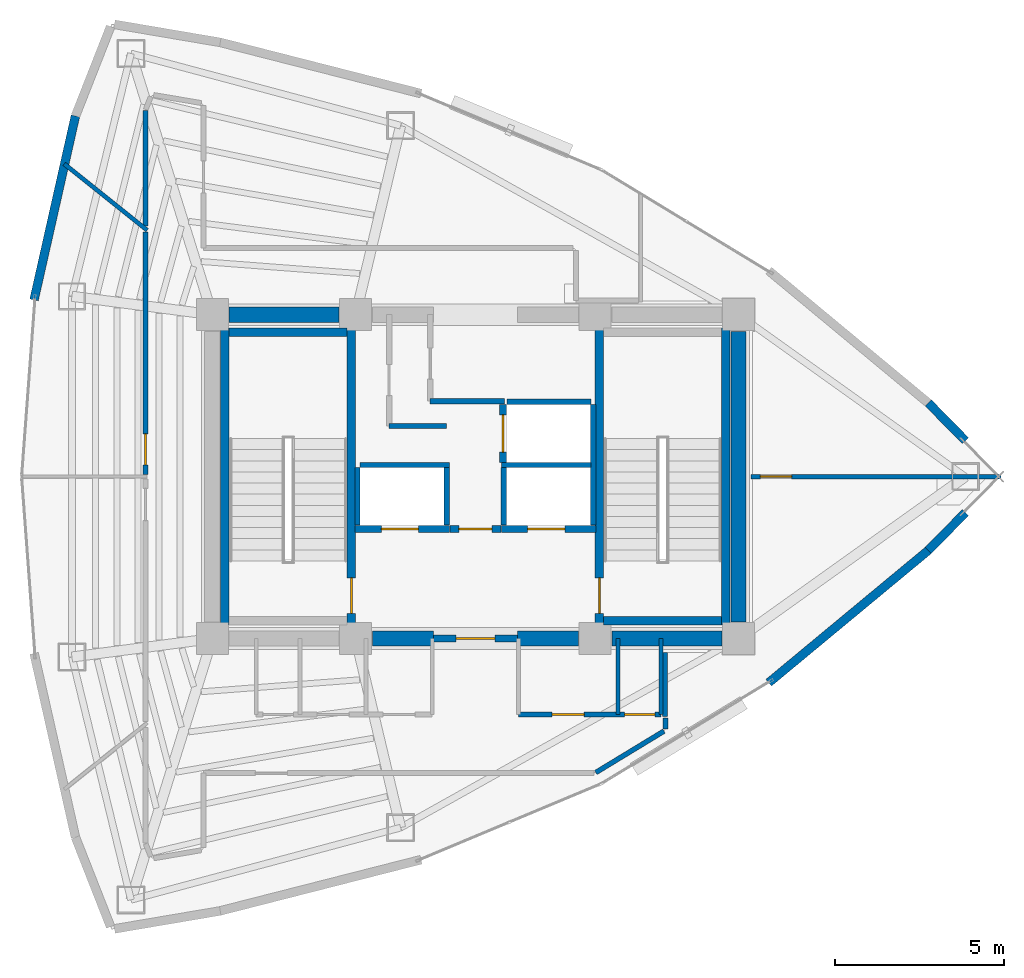
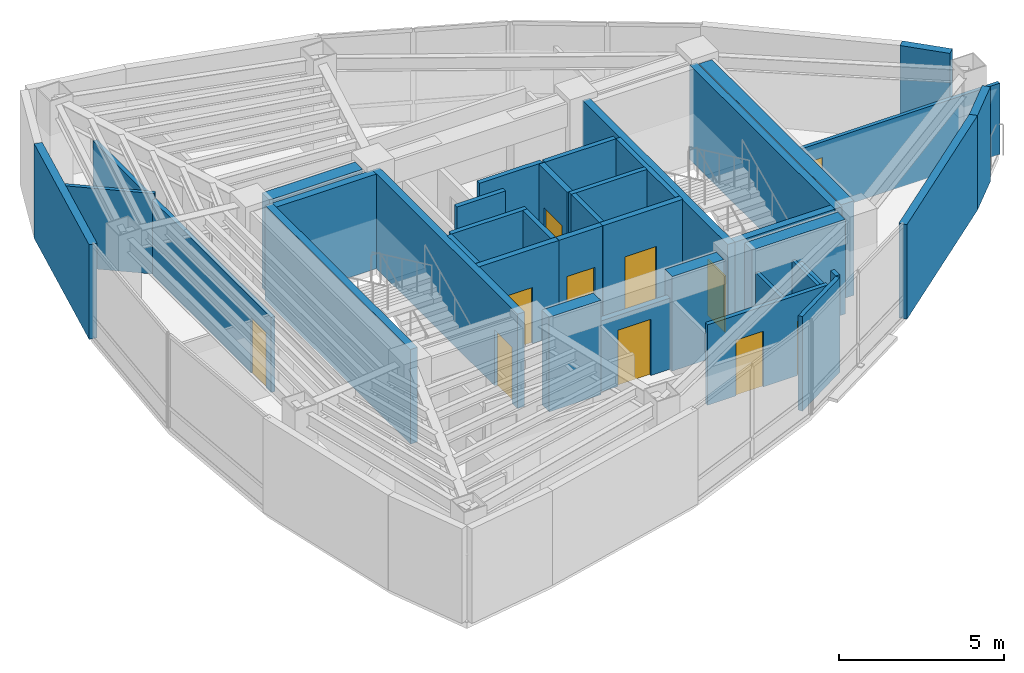
# One storey, part 12 of 15: 39 walls, 11 doors, 11 openings.
"""IFC4 building model written with IfcOpenShell, lengths in metres."""

from ifc_helpers import new_model, si_unit, direction, frame, frame_2d, origin, place, context, subcontext, project, spatial, rectangle, extrude, material, layer, layer_set, type_object, element, fill, save


model = new_model("IFC4")

# Units and contexts
model_context = context("Model", 3, precision=1e-05, world=origin(), true_north=direction((0.0, 1.0)))
body_context = subcontext(model_context, "Body", "Model", "MODEL_VIEW")
ifc_project = project(units=[si_unit("LENGTHUNIT", "METRE"), si_unit("AREAUNIT", "SQUARE_METRE"), si_unit("VOLUMEUNIT", "CUBIC_METRE"), si_unit("PLANEANGLEUNIT", "RADIAN"), si_unit("MASSUNIT", "GRAM", prefix="KILO")], contexts=[model_context])

# Site, building, storey
site_placement = place(None, origin())
site = spatial("IfcSite", under=ifc_project, at=site_placement, CompositionType="ELEMENT")
building_placement = place(site_placement, origin())
building = spatial("IfcBuilding", under=site, at=building_placement, Name="Menara Vayukalpa", CompositionType="ELEMENT")
storey_placement = place(building_placement, frame((0.0, 0.0, 262.02001953125)))
storey = spatial("IfcBuildingStorey", under=building, at=storey_placement, Name="L66", CompositionType="ELEMENT", Elevation=262.02001953125)

# Walls
ifc_material_1 = material(Name="Concrete C50/60", Category="concrete")
ifc_layer_1 = layer(ifc_material_1, 0.449951171875)
ifc_layer_set_1 = layer_set([ifc_layer_1], Name="Concrete C50/60")
wall_type_1 = type_object("IfcWallType", Name="WAL-CW450", PredefinedType="SHEAR", material=ifc_layer_set_1)
wall_1_placement = place(storey_placement, frame((22.544921875, 17.199951171875, 0.0), z_axis=(0.0, 0.0, 1.0), x_axis=(1.0, 0.0, 0.0)))
element("IfcWall", 1, at=wall_1_placement, inside=storey, type_object=wall_type_1, Name="L66 Buttressed Core Shear Wall CWS2", PredefinedType="SHEAR", context=body_context, shape_type="SweptSolid", body=[
    extrude(rectangle(XDim=1.80517578125, YDim=0.449951171875, at=frame_2d((0.902587890625, 0.0))), origin(), (0.0, 0.0, 1.0), 3.5),
])
wall_2_placement = place(storey_placement, frame((26.85009765625, 17.199951171875, 0.0), z_axis=(0.0, 0.0, 1.0), x_axis=(1.0, 0.0, 0.0)))
element("IfcWall", 2, at=wall_2_placement, inside=storey, type_object=wall_type_1, Name="L66 Buttressed Core Shear Wall CWS3", PredefinedType="SHEAR", context=body_context, shape_type="SweptSolid", body=[
    extrude(rectangle(XDim=1.804931640625, YDim=0.449951171875, at=frame_2d((0.90234375, 0.0))), origin(), (0.0, 0.0, 1.0), 3.5),
])
for number, where, z_axis, x_axis, name in (
    (3, (29.64501953125, 17.199951171875, 0.0), (0.0, 0.0, 1.0), (1.0, 0.0, 0.0), "L66 Buttressed Core Shear Wall CWS4"),
    (4, (18.294921875, 26.800048828125, 0.0), (0.0, 0.0, 1.0), (1.0, 0.0, 0.0), "L66 Buttressed Core Shear Wall CWN1"),
):
    element("IfcWall", number, at=place(storey_placement, frame(where, z_axis=z_axis, x_axis=x_axis)), inside=storey, type_object=wall_type_1, Name=name, PredefinedType="SHEAR", context=body_context, shape_type="SweptSolid", body=[
        extrude(rectangle(XDim=3.260009765625, YDim=0.449951171875, at=frame_2d((1.6298828125, 0.0))), origin(), (0.0, 0.0, 1.0), 3.5),
    ])
wall_3_placement = place(storey_placement, frame((33.39990234375, 17.695068359375, 0.0), z_axis=(0.0, 0.0, 1.0), x_axis=(0.0, 1.0, 0.0)))
element("IfcWall", 5, at=wall_3_placement, inside=storey, type_object=wall_type_1, Name="L66 Buttressed Core Shear Wall CWE1", PredefinedType="SHEAR", context=body_context, shape_type="SweptSolid", body=[
    extrude(rectangle(XDim=8.60986328125, YDim=0.449951171875, at=frame_2d((4.304931640625, 0.0))), origin(), (0.0, 0.0, 1.0), 3.5),
])
ifc_material_2 = material(Name="Insulated Precast Concrete C40/50", Category="concrete")
ifc_layer_2 = layer(ifc_material_2, 0.260009765625)
ifc_layer_set_2 = layer_set([ifc_layer_2], Name="Insulated Precast Concrete C40/50")
wall_type_2 = type_object("IfcWallType", Name="WAL-EXT260", PredefinedType="PARTITIONING", material=ifc_layer_set_2)
for number, where, z_axis, x_axis, name in (
    (6, (40.1240234375, 20.932861328125, 0.0), (0.0, 0.0, 1.0), (-0.700470648387, -0.71368121087, 0.0), "L66 Perimeter Terracotta Pier Wall 01"),
    (7, (39.023681640625, 24.188232421875, 0.0), (0.0, 0.0, 1.0), (0.700470648387, -0.71368121087, 0.0), "L66 Perimeter Terracotta Pier Wall 02"),
):
    element("IfcWall", number, at=place(storey_placement, frame(where, z_axis=z_axis, x_axis=x_axis)), inside=storey, type_object=wall_type_2, Name=name, PredefinedType="PARTITIONING", context=body_context, shape_type="SweptSolid", body=[
        extrude(rectangle(XDim=1.57080078125, YDim=0.260009765625, at=frame_2d((0.785400390625, 0.0))), origin(), (0.0, 0.0, 1.0), 3.5),
    ])
wall_4_placement = place(storey_placement, frame((12.514892578125, 27.239501953125, 0.0), z_axis=(0.0, 0.0, 1.0), x_axis=(0.219500763731, 0.97561232809, 0.0)))
element("IfcWall", 8, at=wall_4_placement, inside=storey, type_object=wall_type_2, Name="L66 Perimeter Terracotta Pier Wall 09", PredefinedType="PARTITIONING", context=body_context, shape_type="SweptSolid", body=[
    extrude(rectangle(XDim=5.590087890625, YDim=0.260009765625, at=frame_2d((2.794921875, 0.0))), origin(), (0.0, 0.0, 1.0), 3.5),
])
wall_5_placement = place(storey_placement, frame((39.032470703125, 19.81982421875, 0.0), z_axis=(0.0, 0.0, 1.0), x_axis=(-0.769779830138, -0.638309496337, 0.0)))
element("IfcWall", 9, at=wall_5_placement, inside=storey, type_object=wall_type_2, Name="L66 Perimeter Terracotta Pier Wall 18", PredefinedType="PARTITIONING", context=body_context, shape_type="SweptSolid", body=[
    extrude(rectangle(XDim=6.154052734375, YDim=0.260009765625, at=frame_2d((3.0771484375, 0.0))), origin(), (0.0, 0.0, 1.0), 3.5),
])
ifc_material_3 = material(Name="Lightweight Concrete Blockwork C16/20", Category="masonry")
ifc_layer_3 = layer(ifc_material_3, 0.159912109375)
ifc_layer_set_3 = layer_set([ifc_layer_3], Name="Lightweight Concrete Blockwork C16/20")
wall_type_3 = type_object("IfcWallType", Name="WAL-FR150", PredefinedType="PARTITIONING", material=ifc_layer_set_3)
for number, where, z_axis, x_axis, name in (
    (10, (22.10498046875, 20.56005859375, 0.0), (0.0, 0.0, 1.0), (0.0, 1.0, 0.0), "L66 Interior Partition IW-L66-SHW-WW"),
    (11, (24.7548828125, 20.56005859375, 0.0), (0.0, 0.0, 1.0), (0.0, 1.0, 0.0), "L66 Interior Partition IW-L66-SHW-W1E"),
):
    element("IfcWall", number, at=place(storey_placement, frame(where, z_axis=z_axis, x_axis=x_axis)), inside=storey, type_object=wall_type_3, Name=name, PredefinedType="PARTITIONING", context=body_context, shape_type="SweptSolid", body=[
        extrude(rectangle(XDim=1.7099609375, YDim=0.159912109375, at=frame_2d((0.85498046875, 0.0))), origin(), (0.0, 0.0, 1.0), 3.5),
    ])
wall_6_placement = place(storey_placement, frame((22.179931640625, 22.344970703125, 0.0), z_axis=(0.0, 0.0, 1.0), x_axis=(1.0, 0.0, 0.0)))
element("IfcWall", 12, at=wall_6_placement, inside=storey, type_object=wall_type_3, Name="L66 Interior Partition IW-L66-SHM-W12", PredefinedType="PARTITIONING", context=body_context, shape_type="SweptSolid", body=[
    extrude(rectangle(XDim=2.650146484375, YDim=0.159912109375, at=frame_2d((1.3251953125, 0.0))), origin(), (0.0, 0.0, 1.0), 3.5),
])
wall_7_placement = place(storey_placement, frame((29.094970703125, 20.56005859375, 0.0), z_axis=(0.0, 0.0, 1.0), x_axis=(0.0, 1.0, 0.0)))
element("IfcWall", 13, at=wall_7_placement, inside=storey, type_object=wall_type_3, Name="L66 Interior Partition IW-L66-SHW-EE", PredefinedType="PARTITIONING", context=body_context, shape_type="SweptSolid", body=[
    extrude(rectangle(XDim=3.579833984375, YDim=0.159912109375, at=frame_2d((1.7900390625, 0.0))), origin(), (0.0, 0.0, 1.0), 3.5),
])
wall_8_placement = place(storey_placement, frame((26.445068359375, 20.56005859375, 0.0), z_axis=(0.0, 0.0, 1.0), x_axis=(0.0, 1.0, 0.0)))
element("IfcWall", 14, at=wall_8_placement, inside=storey, type_object=wall_type_3, Name="L66 Interior Partition IW-L66-SHW-E1W", PredefinedType="PARTITIONING", context=body_context, shape_type="SweptSolid", body=[
    extrude(rectangle(XDim=1.7099609375, YDim=0.159912109375, at=frame_2d((0.85498046875, 0.0))), origin(), (0.0, 0.0, 1.0), 3.5),
])
wall_9_placement = place(storey_placement, frame((26.3701171875, 22.344970703125, 0.0), z_axis=(0.0, 0.0, 1.0), x_axis=(1.0, 0.0, 0.0)))
element("IfcWall", 15, at=wall_9_placement, inside=storey, type_object=wall_type_3, Name="L66 Interior Partition IW-L66-SHM-E13", PredefinedType="PARTITIONING", context=body_context, shape_type="SweptSolid", body=[
    extrude(rectangle(XDim=2.64990234375, YDim=0.159912109375, at=frame_2d((1.324951171875, 0.0))), origin(), (0.0, 0.0, 1.0), 3.5),
])
wall_10_placement = place(storey_placement, frame((26.530029296875, 24.215087890625, 0.0), z_axis=(0.0, 0.0, 1.0), x_axis=(1.0, 0.0, 0.0)))
element("IfcWall", 16, at=wall_10_placement, inside=storey, type_object=wall_type_3, Name="L66 Interior Partition IW-L66-SHM-E32", PredefinedType="PARTITIONING", context=body_context, shape_type="SweptSolid", body=[
    extrude(rectangle(XDim=2.489990234375, YDim=0.159912109375, at=frame_2d((1.2451171875, 0.0))), origin(), (0.0, 0.0, 1.0), 3.5),
])
wall_11_placement = place(storey_placement, frame((23.0400390625, 23.5, 0.0), z_axis=(0.0, 0.0, 1.0), x_axis=(1.0, 0.0, 0.0)))
element("IfcWall", 17, at=wall_11_placement, inside=storey, type_object=wall_type_3, Name="L66 Interior Partition IW-L66-LV7WA", PredefinedType="PARTITIONING", context=body_context, shape_type="SweptSolid", body=[
    extrude(rectangle(XDim=1.699951171875, YDim=0.159912109375, at=frame_2d((0.85009765625, 0.0))), origin(), (0.0, 0.0, 1.0), 3.5),
])
wall_12_placement = place(storey_placement, frame((24.260009765625, 24.239990234375, 0.0), z_axis=(0.0, 0.0, 1.0), x_axis=(1.0, 0.0, 0.0)))
element("IfcWall", 18, at=wall_12_placement, inside=storey, type_object=wall_type_3, Name="L66 Interior Partition IW-L66-LV7EA", PredefinedType="PARTITIONING", context=body_context, shape_type="SweptSolid", body=[
    extrude(rectangle(XDim=2.199951171875, YDim=0.159912109375, at=frame_2d((1.10009765625, 0.0))), origin(), (0.0, 0.0, 1.0), 3.5),
])

# Wall, opening, door
ifc_material_4 = material(Name="Lightweight Concrete Blockwork C16/20", Category="masonry")
ifc_layer_4 = layer(ifc_material_4, 0.199951171875)
ifc_layer_set_4 = layer_set([ifc_layer_4], Name="Lightweight Concrete Blockwork C16/20")
wall_type_4 = type_object("IfcWallType", Name="WAL-FR200", PredefinedType="PARTITIONING", material=ifc_layer_set_4)
wall_13_placement = place(storey_placement, frame((24.35009765625, 17.199951171875, 0.0), z_axis=(0.0, 0.0, 1.0), x_axis=(1.0, 0.0, 0.0)))
wall_13 = element("IfcWall", 19, at=wall_13_placement, inside=storey, type_object=wall_type_4, Name="L66 Interior Partition IW-L66-FFLS", PredefinedType="PARTITIONING", context=body_context, shape_type="SweptSolid", body=[
    extrude(rectangle(XDim=2.5, YDim=0.199951171875, at=frame_2d((1.25, 0.0))), origin(), (0.0, 0.0, 1.0), 2.6298828125),
])
opening_1_placement = place(wall_13_placement, frame((0.679931640625, 0.0, 0.0)))
opening_1 = element("IfcOpeningElement", 20, at=opening_1_placement, cuts=wall_13, Name="Opening ID2", PredefinedType="OPENING", context=body_context, shape_type="SweptSolid", body=[
    extrude(rectangle(XDim=1.14990234375, YDim=2.080078125, at=frame_2d((0.574951171875, 1.0400390625))), frame((0.0, 0.10986328125, 0.0), z_axis=(0.0, -1.0, 0.0), x_axis=(1.0, 0.0, 0.0)), (0.0, 0.0, 1.0), 0.219970703125),
])
ifc_material_5 = material(Name="Fire-Rated Powder-Coated Steel Door", Category="steel")
door_type_1 = type_object("IfcDoorType", Name="DR-FD60W", OperationType="NOTDEFINED", PredefinedType="DOOR", material=ifc_material_5)
door_1_placement = place(opening_1_placement, origin())
door_1 = element("IfcDoor", 21, at=door_1_placement, inside=storey, type_object=door_type_1, Name="L66 Interior Door DR-L66-FFLS", OperationType="SINGLE_SWING_RIGHT", OverallHeight=2.080078125, OverallWidth=1.14990234375, PredefinedType="DOOR", context=body_context, shape_type="SweptSolid", body=[
    extrude(rectangle(XDim=1.14990234375, YDim=2.080078125, at=frame_2d((0.574951171875, 1.0400390625))), frame((0.0, 0.02490234375, 0.0), z_axis=(0.0, -1.0, 0.0), x_axis=(1.0, 0.0, 0.0)), (0.0, 0.0, 1.0), 0.050048828125),
])
fill(opening_1, door_1)

wall_14_placement = place(storey_placement, frame((24.840087890625, 20.449951171875, 0.0), z_axis=(0.0, 0.0, 1.0), x_axis=(1.0, 0.0, 0.0)))
wall_14 = element("IfcWall", 22, at=wall_14_placement, inside=storey, type_object=wall_type_4, Name="L66 Interior Partition IW-L66-FFLN", PredefinedType="PARTITIONING", context=body_context, shape_type="SweptSolid", body=[
    extrude(rectangle(XDim=1.52001953125, YDim=0.199951171875, at=frame_2d((0.760009765625, 0.0))), origin(), (0.0, 0.0, 1.0), 3.5),
])
opening_2_placement = place(wall_14_placement, frame((0.27001953125, 0.0, 0.0)))
opening_2 = element("IfcOpeningElement", 23, at=opening_2_placement, cuts=wall_14, Name="Opening ID3", PredefinedType="OPENING", context=body_context, shape_type="SweptSolid", body=[
    extrude(rectangle(XDim=0.97998046875, YDim=2.06005859375, at=frame_2d((0.489990234375, 1.030029296875))), frame((0.0, 0.10986328125, 0.0), z_axis=(0.0, -1.0, 0.0), x_axis=(1.0, 0.0, 0.0)), (0.0, 0.0, 1.0), 0.219970703125),
])
ifc_material_6 = material(Name="Fire-Rated Powder-Coated Steel Door", Category="steel")
door_type_2 = type_object("IfcDoorType", Name="DR-FD60", OperationType="NOTDEFINED", PredefinedType="DOOR", material=ifc_material_6)
door_2_placement = place(opening_2_placement, origin())
door_2 = element("IfcDoor", 24, at=door_2_placement, inside=storey, type_object=door_type_2, Name="L66 Interior Door DR-L66-FFLN", OperationType="SINGLE_SWING_LEFT", OverallHeight=2.06005859375, OverallWidth=0.97998046875, PredefinedType="DOOR", context=body_context, shape_type="SweptSolid", body=[
    extrude(rectangle(XDim=0.97998046875, YDim=2.06005859375, at=frame_2d((0.489990234375, 1.030029296875))), frame((0.0, 0.02490234375, 0.0), z_axis=(0.0, -1.0, 0.0), x_axis=(1.0, 0.0, 0.0)), (0.0, 0.0, 1.0), 0.050048828125),
])
fill(opening_2, door_2)

wall_15_placement = place(storey_placement, frame((22.030029296875, 20.449951171875, 0.0), z_axis=(0.0, 0.0, 1.0), x_axis=(1.0, 0.0, 0.0)))
wall_15 = element("IfcWall", 25, at=wall_15_placement, inside=storey, type_object=wall_type_4, Name="L66 Interior Partition IW-L66-SH-W1", PredefinedType="PARTITIONING", context=body_context, shape_type="SweptSolid", body=[
    extrude(rectangle(XDim=2.800048828125, YDim=0.199951171875, at=frame_2d((1.39990234375, 0.0))), origin(), (0.0, 0.0, 1.0), 3.5),
])
opening_3_placement = place(wall_15_placement, frame((0.780029296875, 0.0, 0.0)))
opening_3 = element("IfcOpeningElement", 26, at=opening_3_placement, cuts=wall_15, Name="Opening LD1", PredefinedType="OPENING", context=body_context, shape_type="SweptSolid", body=[
    extrude(rectangle(XDim=1.10009765625, YDim=2.080078125, at=frame_2d((0.550048828125, 1.0400390625))), frame((0.0, 0.10986328125, 0.0), z_axis=(0.0, -1.0, 0.0), x_axis=(1.0, 0.0, 0.0)), (0.0, 0.0, 1.0), 0.219970703125),
])
ifc_material_7 = material(Name="Brushed Stainless Steel 316 Lift Door", Category="steel")
door_type_3 = type_object("IfcDoorType", Name="DR-LD110", OperationType="NOTDEFINED", PredefinedType="DOOR", material=ifc_material_7)
door_3_placement = place(opening_3_placement, origin())
door_3 = element("IfcDoor", 27, at=door_3_placement, inside=storey, type_object=door_type_3, Name="L66 Interior Door DR-L66-LD-W1", OperationType="DOUBLE_DOOR_SLIDING", OverallHeight=2.080078125, OverallWidth=1.10009765625, PredefinedType="DOOR", context=body_context, shape_type="SweptSolid", body=[
    extrude(rectangle(XDim=1.10009765625, YDim=2.080078125, at=frame_2d((0.550048828125, 1.0400390625))), frame((0.0, 0.02490234375, 0.0), z_axis=(0.0, -1.0, 0.0), x_axis=(1.0, 0.0, 0.0)), (0.0, 0.0, 1.0), 0.050048828125),
])
fill(opening_3, door_3)

wall_16_placement = place(storey_placement, frame((26.3701171875, 20.449951171875, 0.0), z_axis=(0.0, 0.0, 1.0), x_axis=(1.0, 0.0, 0.0)))
wall_16 = element("IfcWall", 28, at=wall_16_placement, inside=storey, type_object=wall_type_4, Name="L66 Interior Partition IW-L66-SH-E1", PredefinedType="PARTITIONING", context=body_context, shape_type="SweptSolid", body=[
    extrude(rectangle(XDim=2.7998046875, YDim=0.199951171875, at=frame_2d((1.39990234375, 0.0))), origin(), (0.0, 0.0, 1.0), 3.5),
])
opening_4_placement = place(wall_16_placement, frame((0.780029296875, 0.0, 0.0)))
opening_4 = element("IfcOpeningElement", 29, at=opening_4_placement, cuts=wall_16, Name="Opening LD1", PredefinedType="OPENING", context=body_context, shape_type="SweptSolid", body=[
    extrude(rectangle(XDim=1.10009765625, YDim=2.080078125, at=frame_2d((0.550048828125, 1.0400390625))), frame((0.0, 0.10986328125, 0.0), z_axis=(0.0, -1.0, 0.0), x_axis=(1.0, 0.0, 0.0)), (0.0, 0.0, 1.0), 0.219970703125),
])
door_4_placement = place(opening_4_placement, origin())
door_4 = element("IfcDoor", 30, at=door_4_placement, inside=storey, type_object=door_type_3, Name="L66 Interior Door DR-L66-LD-E1", OperationType="DOUBLE_DOOR_SLIDING", OverallHeight=2.080078125, OverallWidth=1.10009765625, PredefinedType="DOOR", context=body_context, shape_type="SweptSolid", body=[
    extrude(rectangle(XDim=1.10009765625, YDim=2.080078125, at=frame_2d((0.550048828125, 1.0400390625))), frame((0.0, 0.02490234375, 0.0), z_axis=(0.0, -1.0, 0.0), x_axis=(1.0, 0.0, 0.0)), (0.0, 0.0, 1.0), 0.050048828125),
])
fill(opening_4, door_4)

wall_17_placement = place(storey_placement, frame((26.419921875, 22.419921875, 0.0), z_axis=(0.0, 0.0, 1.0), x_axis=(0.0, 1.0, 0.0)))
wall_17 = element("IfcWall", 31, at=wall_17_placement, inside=storey, type_object=wall_type_4, Name="L66 Interior Partition IW-L66-SH-E3", PredefinedType="PARTITIONING", context=body_context, shape_type="SweptSolid", body=[
    extrude(rectangle(XDim=1.719970703125, YDim=0.199951171875, at=frame_2d((0.85986328125, 0.0))), origin(), (0.0, 0.0, 1.0), 3.5),
])
opening_5_placement = place(wall_17_placement, frame((0.31005859375, 0.0, 0.0)))
opening_5 = element("IfcOpeningElement", 32, at=opening_5_placement, cuts=wall_17, Name="Opening LD1", PredefinedType="OPENING", context=body_context, shape_type="SweptSolid", body=[
    extrude(rectangle(XDim=1.10009765625, YDim=2.080078125, at=frame_2d((0.550048828125, 1.0400390625))), frame((0.0, 0.10986328125, 0.0), z_axis=(0.0, -1.0, 0.0), x_axis=(1.0, 0.0, 0.0)), (0.0, 0.0, 1.0), 0.219970703125),
])
door_5_placement = place(opening_5_placement, origin())
door_5 = element("IfcDoor", 33, at=door_5_placement, inside=storey, type_object=door_type_3, Name="L66 Interior Door DR-L66-LD-E3", OperationType="DOUBLE_DOOR_SLIDING", OverallHeight=2.080078125, OverallWidth=1.10009765625, PredefinedType="DOOR", context=body_context, shape_type="SweptSolid", body=[
    extrude(rectangle(XDim=1.10009765625, YDim=2.080078125, at=frame_2d((0.550048828125, 1.0400390625))), frame((0.0, 0.02490234375, 0.0), z_axis=(0.0, -1.0, 0.0), x_axis=(1.0, 0.0, 0.0)), (0.0, 0.0, 1.0), 0.050048828125),
])
fill(opening_5, door_5)

# Walls
ifc_material_8 = material(Name="Acoustic Mineral Stud Partition", Category="masonry")
ifc_layer_5 = layer(ifc_material_8, 0.110107421875)
ifc_layer_set_5 = layer_set([ifc_layer_5], Name="Acoustic Mineral Stud Partition")
wall_type_5 = type_object("IfcWallType", Name="WAL-PT110", PredefinedType="PARTITIONING", material=ifc_layer_set_5)
wall_18_placement = place(storey_placement, frame((31.10009765625, 14.949951171875, 0.0), z_axis=(0.0, 0.0, 1.0), x_axis=(0.0, 1.0, 0.0)))
element("IfcWall", 34, at=wall_18_placement, inside=storey, type_object=wall_type_5, Name="L66 Interior Partition IW-L66-SVCD-07", PredefinedType="PARTITIONING", context=body_context, shape_type="SweptSolid", body=[
    extrude(rectangle(XDim=2.25, YDim=0.110107421875, at=frame_2d((1.125, 0.0))), origin(), (0.0, 0.0, 1.0), 2.6298828125),
])
ifc_material_9 = material(Name="Gypsum Drywall Steel Stud Assembly", Category="steel")
ifc_layer_6 = layer(ifc_material_9, 0.125)
ifc_layer_set_6 = layer_set([ifc_layer_6], Name="Gypsum Drywall Steel Stud Assembly")
wall_type_6 = type_object("IfcWallType", Name="WAL-PT125", PredefinedType="PARTITIONING", material=ifc_layer_set_6)
wall_19_placement = place(storey_placement, frame((29.830078125, 14.949951171875, 0.0), z_axis=(0.0, 0.0, 1.0), x_axis=(0.0, 1.0, 0.0)))
element("IfcWall", 35, at=wall_19_placement, inside=storey, type_object=wall_type_6, Name="L66 Interior Partition IW-L66-SVCD-06", PredefinedType="PARTITIONING", context=body_context, shape_type="SweptSolid", body=[
    extrude(rectangle(XDim=2.25, YDim=0.125, at=frame_2d((1.125, 0.0))), origin(), (0.0, 0.0, 1.0), 2.6298828125),
])

# Wall, opening, door
wall_20_placement = place(storey_placement, frame((33.77001953125, 22.0, 0.0), z_axis=(0.0, 0.0, 1.0), x_axis=(1.0, 0.0, 0.0)))
wall_20 = element("IfcWall", 36, at=wall_20_placement, inside=storey, type_object=wall_type_6, Name="L66 Interior Partition IW-L66-RDIV03", PredefinedType="PARTITIONING", context=body_context, shape_type="SweptSolid", body=[
    extrude(rectangle(XDim=7.411865234375, YDim=0.125, at=frame_2d((3.7060546875, 0.0))), origin(), (0.0, 0.0, 1.0), 2.6298828125),
])
opening_6_placement = place(wall_20_placement, frame((0.280029296875, 0.0, 0.0)))
opening_6 = element("IfcOpeningElement", 37, at=opening_6_placement, cuts=wall_20, Name="Opening ID6", PredefinedType="OPENING", context=body_context, shape_type="SweptSolid", body=[
    extrude(rectangle(XDim=0.919921875, YDim=2.050048828125, at=frame_2d((0.4599609375, 1.02490234375))), frame((0.0, 0.072509765625, 0.0), z_axis=(0.0, -1.0, 0.0), x_axis=(1.0, 0.0, 0.0)), (0.0, 0.0, 1.0), 0.14501953125),
])
ifc_material_10 = material(Name="Acoustic Hardwood Veneer Timber Door", Category="wood")
door_type_4 = type_object("IfcDoorType", Name="DR-INT92", OperationType="NOTDEFINED", PredefinedType="DOOR", material=ifc_material_10)
door_6_placement = place(opening_6_placement, origin())
door_6 = element("IfcDoor", 38, at=door_6_placement, inside=storey, type_object=door_type_4, Name="L66 Interior Door DR-L66-STE04", OperationType="SINGLE_SWING_LEFT", OverallHeight=2.050048828125, OverallWidth=0.919921875, PredefinedType="DOOR", context=body_context, shape_type="SweptSolid", body=[
    extrude(rectangle(XDim=0.919921875, YDim=2.050048828125, at=frame_2d((0.4599609375, 1.02490234375))), frame((0.0, 0.02490234375, 0.0), z_axis=(0.0, -1.0, 0.0), x_axis=(1.0, 0.0, 0.0)), (0.0, 0.0, 1.0), 0.050048828125),
])
fill(opening_6, door_6)

# Wall
wall_21_placement = place(storey_placement, frame((13.41162109375, 31.270751953125, 0.0), z_axis=(0.0, 0.0, 1.0), x_axis=(0.780868809443, -0.624695047554, 0.0)))
element("IfcWall", 39, at=wall_21_placement, inside=storey, type_object=wall_type_6, Name="L66 Interior Partition IW-L66-RDIV05", PredefinedType="PARTITIONING", context=body_context, shape_type="SweptSolid", body=[
    extrude(rectangle(XDim=3.1484375, YDim=0.125, at=frame_2d((1.57421875, 0.0))), origin(), (0.0, 0.0, 1.0), 2.97998046875),
])

# Wall, openings, doors
ifc_material_11 = material(Name="Gypsum Drywall Acoustic Stud Assembly", Category="masonry")
ifc_layer_7 = layer(ifc_material_11, 0.14501953125)
ifc_layer_set_7 = layer_set([ifc_layer_7], Name="Gypsum Drywall Acoustic Stud Assembly")
wall_type_7 = type_object("IfcWallType", Name="WAL-PT150", PredefinedType="PARTITIONING", material=ifc_layer_set_7)
wall_22_placement = place(storey_placement, frame((26.8798828125, 14.949951171875, 0.0), z_axis=(0.0, 0.0, 1.0), x_axis=(1.0, 0.0, 0.0)))
wall_22 = element("IfcWall", 40, at=wall_22_placement, inside=storey, type_object=wall_type_7, Name="L66 Interior Partition IW-L66-SVCS-E", PredefinedType="PARTITIONING", context=body_context, shape_type="SweptSolid", body=[
    extrude(rectangle(XDim=4.22021484375, YDim=0.14501953125, at=frame_2d((2.110107421875, 0.0))), origin(), (0.0, 0.0, 1.0), 2.97998046875),
])
opening_7_placement = place(wall_22_placement, frame((0.9951171875, 0.0, 0.0)))
opening_7 = element("IfcOpeningElement", 41, at=opening_7_placement, cuts=wall_22, Name="Opening ID5", PredefinedType="OPENING", context=body_context, shape_type="SweptSolid", body=[
    extrude(rectangle(XDim=0.949951171875, YDim=2.06005859375, at=frame_2d((0.47509765625, 1.030029296875))), frame((0.0, 0.08251953125, 0.0), z_axis=(0.0, -1.0, 0.0), x_axis=(1.0, 0.0, 0.0)), (0.0, 0.0, 1.0), 0.1650390625),
])
opening_8_placement = place(wall_22_placement, frame((3.139892578125, 0.0, 0.0)))
opening_8 = element("IfcOpeningElement", 42, at=opening_8_placement, cuts=wall_22, Name="Opening ID7", PredefinedType="OPENING", context=body_context, shape_type="SweptSolid", body=[
    extrude(rectangle(XDim=0.89990234375, YDim=2.02001953125, at=frame_2d((0.449951171875, 1.010009765625))), frame((0.0, 0.08251953125, 0.0), z_axis=(0.0, -1.0, 0.0), x_axis=(1.0, 0.0, 0.0)), (0.0, 0.0, 1.0), 0.1650390625),
])
ifc_material_12 = material(Name="Acoustic Hardwood Veneer Timber Door", Category="wood")
door_type_5 = type_object("IfcDoorType", Name="DR-INT95", OperationType="NOTDEFINED", PredefinedType="DOOR", material=ifc_material_12)
door_7_placement = place(opening_7_placement, origin())
door_7 = element("IfcDoor", 43, at=door_7_placement, inside=storey, type_object=door_type_5, Name="L66 Interior Door DR-L66-KSV1", OperationType="SINGLE_SWING_LEFT", OverallHeight=2.06005859375, OverallWidth=0.949951171875, PredefinedType="DOOR", context=body_context, shape_type="SweptSolid", body=[
    extrude(rectangle(XDim=0.949951171875, YDim=2.06005859375, at=frame_2d((0.47509765625, 1.030029296875))), frame((0.0, 0.02490234375, 0.0), z_axis=(0.0, -1.0, 0.0), x_axis=(1.0, 0.0, 0.0)), (0.0, 0.0, 1.0), 0.050048828125),
])
fill(opening_7, door_7)
ifc_material_13 = material(Name="Powder-Coated Steel Riser Access Door", Category="steel")
door_type_6 = type_object("IfcDoorType", Name="DR-RISER", OperationType="NOTDEFINED", PredefinedType="DOOR", material=ifc_material_13)
door_8_placement = place(opening_8_placement, origin())
door_8 = element("IfcDoor", 44, at=door_8_placement, inside=storey, type_object=door_type_6, Name="L66 Interior Door DR-L66-SMD", OperationType="SINGLE_SWING_RIGHT", OverallHeight=2.02001953125, OverallWidth=0.89990234375, PredefinedType="DOOR", context=body_context, shape_type="SweptSolid", body=[
    extrude(rectangle(XDim=0.89990234375, YDim=2.02001953125, at=frame_2d((0.449951171875, 1.010009765625))), frame((0.0, 0.02490234375, 0.0), z_axis=(0.0, -1.0, 0.0), x_axis=(1.0, 0.0, 0.0)), (0.0, 0.0, 1.0), 0.050048828125),
])
fill(opening_8, door_8)

# Walls
wall_23_placement = place(storey_placement, frame((29.167724609375, 13.228515625, 0.0), z_axis=(0.0, 0.0, 1.0), x_axis=(0.854678044033, 0.519158396876, 0.0)))
element("IfcWall", 45, at=wall_23_placement, inside=storey, type_object=wall_type_7, Name="L66 Interior Partition IW-L66-CRM03-6", PredefinedType="PARTITIONING", context=body_context, shape_type="SweptSolid", body=[
    extrude(rectangle(XDim=2.36767578125, YDim=0.14501953125, at=frame_2d((1.183837890625, 0.0))), origin(), (0.0, 0.0, 1.0), 3.5),
])
wall_24_placement = place(storey_placement, frame((31.22998046875, 14.526123046875, 0.0), z_axis=(0.0, 0.0, 1.0), x_axis=(0.0, 1.0, 0.0)))
element("IfcWall", 46, at=wall_24_placement, inside=storey, type_object=wall_type_7, Name="L66 Interior Partition IW-L66-CRM03-7", PredefinedType="PARTITIONING", context=body_context, shape_type="SweptSolid", body=[
    extrude(rectangle(XDim=0.323974609375, YDim=0.14501953125, at=frame_2d((0.162109375, 0.0))), origin(), (0.0, 0.0, 1.0), 3.5),
])
wall_25_placement = place(storey_placement, frame((31.219970703125, 14.888671875, 0.0), z_axis=(0.0, 0.0, 1.0), x_axis=(0.0, 1.0, 0.0)))
element("IfcWall", 47, at=wall_25_placement, inside=storey, type_object=wall_type_7, Name="L66 Interior Partition IW-L66-CRM03-8", PredefinedType="PARTITIONING", context=body_context, shape_type="SweptSolid", body=[
    extrude(rectangle(XDim=1.891357421875, YDim=0.14501953125, at=frame_2d((0.94580078125, 0.0))), origin(), (0.0, 0.0, 1.0), 2.6298828125),
])
wall_26_placement = place(storey_placement, frame((15.820068359375, 32.853759765625, 0.0), z_axis=(0.0, 0.0, 1.0), x_axis=(0.0, -1.0, 0.0)))
element("IfcWall", 48, at=wall_26_placement, inside=storey, type_object=wall_type_7, Name="L66 Interior Partition IW-L66-CRM05-7", PredefinedType="PARTITIONING", context=body_context, shape_type="SweptSolid", body=[
    extrude(rectangle(XDim=3.420166015625, YDim=0.14501953125, at=frame_2d((1.7099609375, 0.0))), origin(), (0.0, 0.0, 1.0), 2.780029296875),
])

# Wall, opening, door
wall_27_placement = place(storey_placement, frame((15.820068359375, 29.25439453125, 0.0), z_axis=(0.0, 0.0, 1.0), x_axis=(0.0, -1.0, 0.0)))
wall_27 = element("IfcWall", 49, at=wall_27_placement, inside=storey, type_object=wall_type_7, Name="L66 Interior Partition IW-L66-CRM06-1", PredefinedType="PARTITIONING", context=body_context, shape_type="SweptSolid", body=[
    extrude(rectangle(XDim=7.184326171875, YDim=0.14501953125, at=frame_2d((3.59228515625, 0.0))), origin(), (0.0, 0.0, 1.0), 2.780029296875),
])
opening_9_placement = place(wall_27_placement, frame((5.984375, 0.0, 0.0)))
opening_9 = element("IfcOpeningElement", 50, at=opening_9_placement, cuts=wall_27, Name="Opening ID6", PredefinedType="OPENING", context=body_context, shape_type="SweptSolid", body=[
    extrude(rectangle(XDim=0.919921875, YDim=2.050048828125, at=frame_2d((0.4599609375, 1.02490234375))), frame((0.0, 0.08251953125, 0.0), z_axis=(0.0, -1.0, 0.0), x_axis=(1.0, 0.0, 0.0)), (0.0, 0.0, 1.0), 0.1650390625),
])
door_9_placement = place(opening_9_placement, origin())
door_9 = element("IfcDoor", 51, at=door_9_placement, inside=storey, type_object=door_type_4, Name="L66 Interior Door DR-L66-RM06", OperationType="SINGLE_SWING_RIGHT", OverallHeight=2.050048828125, OverallWidth=0.919921875, PredefinedType="DOOR", context=body_context, shape_type="SweptSolid", body=[
    extrude(rectangle(XDim=0.919921875, YDim=2.050048828125, at=frame_2d((0.4599609375, 1.02490234375))), frame((0.0, 0.02490234375, 0.0), z_axis=(0.0, -1.0, 0.0), x_axis=(1.0, 0.0, 0.0)), (0.0, 0.0, 1.0), 0.050048828125),
])
fill(opening_9, door_9)

# Wall
ifc_material_14 = material(Name="Concrete C50/60", Category="concrete")
ifc_layer_8 = layer(ifc_material_14, 0.25)
ifc_layer_set_8 = layer_set([ifc_layer_8], Name="Concrete C50/60")
wall_type_8 = type_object("IfcWallType", Name="WAL-SW250", PredefinedType="SHEAR", material=ifc_layer_set_8)
wall_28_placement = place(storey_placement, frame((18.175048828125, 17.60009765625, 0.0), z_axis=(0.0, 0.0, 1.0), x_axis=(0.0, 1.0, 0.0)))
element("IfcWall", 52, at=wall_28_placement, inside=storey, type_object=wall_type_8, Name="L66 ST1 Structural Stair Shaft Wall W", PredefinedType="SHEAR", context=body_context, shape_type="SweptSolid", body=[
    extrude(rectangle(XDim=8.7998046875, YDim=0.25, at=frame_2d((4.39990234375, 0.0))), origin(), (0.0, 0.0, 1.0), 3.5),
])

# Wall, opening, door
wall_29_placement = place(storey_placement, frame((21.925048828125, 17.60009765625, 0.0), z_axis=(0.0, 0.0, 1.0), x_axis=(0.0, 1.0, 0.0)))
wall_29 = element("IfcWall", 53, at=wall_29_placement, inside=storey, type_object=wall_type_8, Name="L66 ST1 Structural Stair Shaft Wall E", PredefinedType="SHEAR", context=body_context, shape_type="SweptSolid", body=[
    extrude(rectangle(XDim=8.7998046875, YDim=0.25, at=frame_2d((4.39990234375, 0.0))), origin(), (0.0, 0.0, 1.0), 3.5),
])
opening_10_placement = place(wall_29_placement, frame((0.35009765625, 0.0, 0.0)))
opening_10 = element("IfcOpeningElement", 54, at=opening_10_placement, cuts=wall_29, Name="Opening ID1", PredefinedType="OPENING", context=body_context, shape_type="SweptSolid", body=[
    extrude(rectangle(XDim=1.050048828125, YDim=2.080078125, at=frame_2d((0.52490234375, 1.0400390625))), frame((0.0, 0.135009765625, 0.0), z_axis=(0.0, -1.0, 0.0), x_axis=(1.0, 0.0, 0.0)), (0.0, 0.0, 1.0), 0.27001953125),
])
ifc_material_15 = material(Name="Fire-Rated Powder-Coated Steel Door", Category="steel")
door_type_7 = type_object("IfcDoorType", Name="DR-FD120", OperationType="NOTDEFINED", PredefinedType="DOOR", material=ifc_material_15)
door_10_placement = place(opening_10_placement, origin())
door_10 = element("IfcDoor", 55, at=door_10_placement, inside=storey, type_object=door_type_7, Name="L66 Stair Exit Door DR-L66-ST1", OperationType="SINGLE_SWING_LEFT", OverallHeight=2.080078125, OverallWidth=1.050048828125, PredefinedType="DOOR", context=body_context, shape_type="SweptSolid", body=[
    extrude(rectangle(XDim=1.050048828125, YDim=2.080078125, at=frame_2d((0.52490234375, 1.0400390625))), frame((0.0, 0.02490234375, 0.0), z_axis=(0.0, -1.0, 0.0), x_axis=(1.0, 0.0, 0.0)), (0.0, 0.0, 1.0), 0.050048828125),
])
fill(opening_10, door_10)

# Wall
wall_30_placement = place(storey_placement, frame((18.300048828125, 26.27490234375, 0.0), z_axis=(0.0, 0.0, 1.0), x_axis=(1.0, 0.0, 0.0)))
element("IfcWall", 56, at=wall_30_placement, inside=storey, type_object=wall_type_8, Name="L66 ST1 Structural Stair Shaft Wall N", PredefinedType="SHEAR", context=body_context, shape_type="SweptSolid", body=[
    extrude(rectangle(XDim=3.5, YDim=0.25, at=frame_2d((1.75, 0.0))), origin(), (0.0, 0.0, 1.0), 3.5),
])

# Wall, opening, door
wall_31_placement = place(storey_placement, frame((29.27490234375, 17.60009765625, 0.0), z_axis=(0.0, 0.0, 1.0), x_axis=(0.0, 1.0, 0.0)))
wall_31 = element("IfcWall", 57, at=wall_31_placement, inside=storey, type_object=wall_type_8, Name="L66 ST2 Structural Stair Shaft Wall W", PredefinedType="SHEAR", context=body_context, shape_type="SweptSolid", body=[
    extrude(rectangle(XDim=8.7998046875, YDim=0.25, at=frame_2d((4.39990234375, 0.0))), origin(), (0.0, 0.0, 1.0), 3.5),
])
opening_11_placement = place(wall_31_placement, frame((0.35009765625, 0.0, 0.0)))
opening_11 = element("IfcOpeningElement", 58, at=opening_11_placement, cuts=wall_31, Name="Opening ID1", PredefinedType="OPENING", context=body_context, shape_type="SweptSolid", body=[
    extrude(rectangle(XDim=1.050048828125, YDim=2.080078125, at=frame_2d((0.52490234375, 1.0400390625))), frame((0.0, 0.135009765625, 0.0), z_axis=(0.0, -1.0, 0.0), x_axis=(1.0, 0.0, 0.0)), (0.0, 0.0, 1.0), 0.27001953125),
])
door_11_placement = place(opening_11_placement, origin())
door_11 = element("IfcDoor", 59, at=door_11_placement, inside=storey, type_object=door_type_7, Name="L66 Stair Exit Door DR-L66-ST2", OperationType="SINGLE_SWING_RIGHT", OverallHeight=2.080078125, OverallWidth=1.050048828125, PredefinedType="DOOR", context=body_context, shape_type="SweptSolid", body=[
    extrude(rectangle(XDim=1.050048828125, YDim=2.080078125, at=frame_2d((0.52490234375, 1.0400390625))), frame((0.0, 0.02490234375, 0.0), z_axis=(0.0, -1.0, 0.0), x_axis=(1.0, 0.0, 0.0)), (0.0, 0.0, 1.0), 0.050048828125),
])
fill(opening_11, door_11)

# Walls
wall_32_placement = place(storey_placement, frame((33.02490234375, 17.60009765625, 0.0), z_axis=(0.0, 0.0, 1.0), x_axis=(0.0, 1.0, 0.0)))
element("IfcWall", 60, at=wall_32_placement, inside=storey, type_object=wall_type_8, Name="L66 ST2 Structural Stair Shaft Wall E", PredefinedType="SHEAR", context=body_context, shape_type="SweptSolid", body=[
    extrude(rectangle(XDim=8.7998046875, YDim=0.25, at=frame_2d((4.39990234375, 0.0))), origin(), (0.0, 0.0, 1.0), 3.5),
])
wall_33_placement = place(storey_placement, frame((29.39990234375, 17.72509765625, 0.0), z_axis=(0.0, 0.0, 1.0), x_axis=(1.0, 0.0, 0.0)))
element("IfcWall", 61, at=wall_33_placement, inside=storey, type_object=wall_type_8, Name="L66 ST2 Structural Stair Shaft Wall S", PredefinedType="SHEAR", context=body_context, shape_type="SweptSolid", body=[
    extrude(rectangle(XDim=3.5, YDim=0.25, at=frame_2d((1.75, 0.0))), origin(), (0.0, 0.0, 1.0), 3.5),
])

save(model, "model.ifc")
